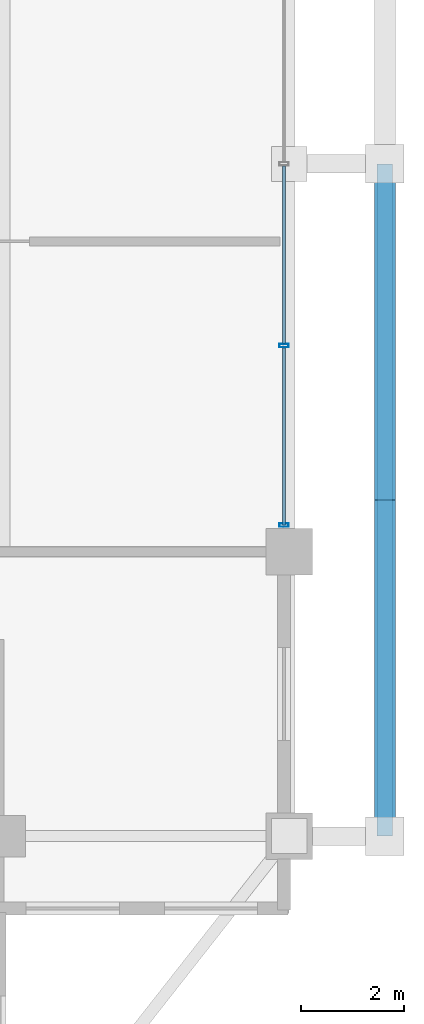
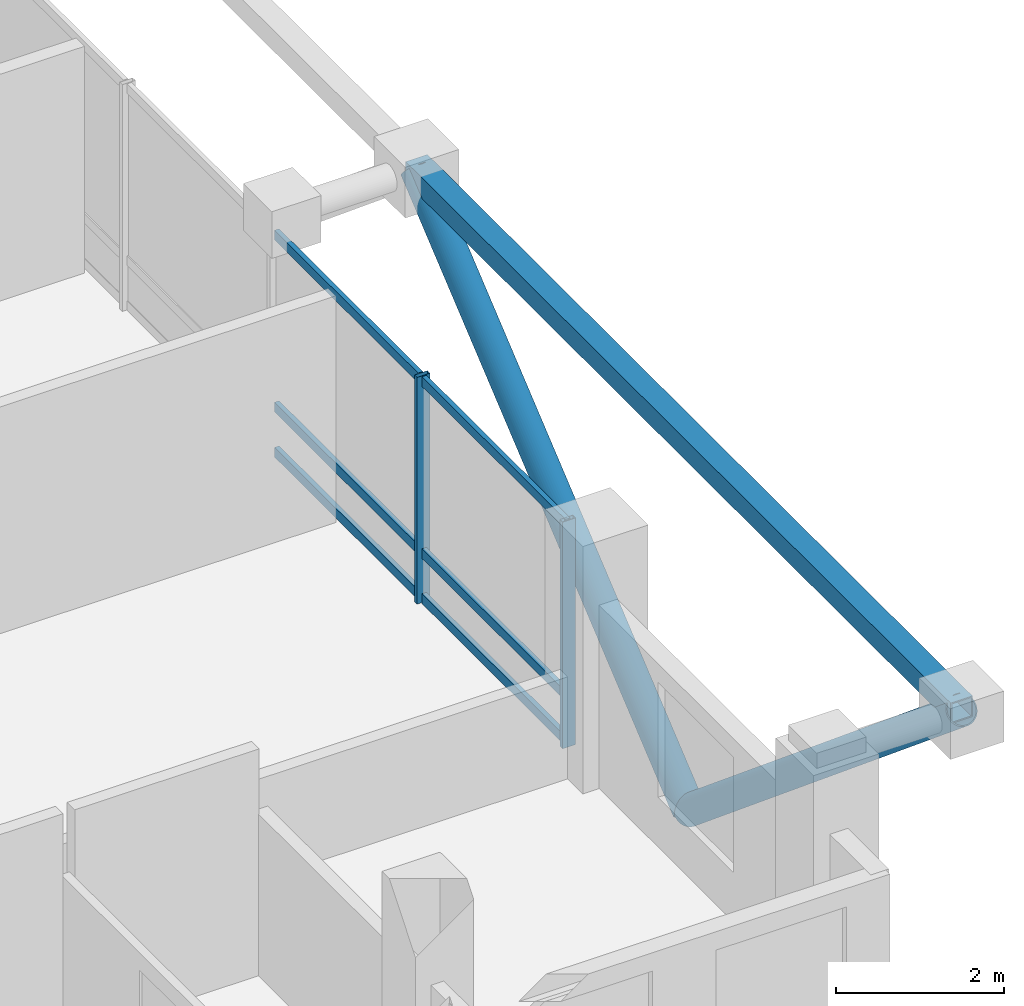
# One storey, part 12 of 25: 11 members, 1 element without a shape of its own.
"""IFC4 building model written with IfcOpenShell, lengths in metres."""

from ifc_helpers import new_model, si_unit, direction, frame, origin, origin_2d, place, context, subcontext, project, spatial, hollow_rectangle, hollow_circle, extrude, material, layer, layer_set, material_profile, profile_set, type_object, element, aggregate, save


model = new_model("IFC4")

# Units and contexts
model_context = context("Model", 3, precision=1e-05, world=origin(), true_north=direction((0.0, 1.0)))
body_context = subcontext(model_context, "Body", "Model", "MODEL_VIEW")
ifc_project = project(units=[si_unit("LENGTHUNIT", "METRE"), si_unit("AREAUNIT", "SQUARE_METRE"), si_unit("VOLUMEUNIT", "CUBIC_METRE"), si_unit("PLANEANGLEUNIT", "RADIAN"), si_unit("MASSUNIT", "GRAM", prefix="KILO")], contexts=[model_context])

# Site, building, storey
site_placement = place(None, origin())
site = spatial("IfcSite", under=ifc_project, at=site_placement, CompositionType="ELEMENT")
building_placement = place(site_placement, origin())
building = spatial("IfcBuilding", under=site, at=building_placement, Name="Barlavira Tower and Art Museum", CompositionType="ELEMENT")
storey_placement = place(building_placement, frame((0.0, 0.0, 301.5)))
storey = spatial("IfcBuildingStorey", under=building, at=storey_placement, Name="L79", CompositionType="ELEMENT", Elevation=301.5)

# Curtain wall, members
ifc_material_1 = material(Name="Low-iron coastal laminated glass", Category="glass")
ifc_layer = layer(ifc_material_1, 0.2099609375, Name="Low-iron coastal laminated glass")
ifc_layer_set = layer_set([ifc_layer], Name="Low-iron coastal laminated glass")
curtain_wall_type = type_object("IfcCurtainWallType", Name="Pale-Metal Unitised Curtain Wall Zone 4", PredefinedType="NOTDEFINED", material=ifc_layer_set)
curtain_wall_placement = place(storey_placement, origin())
curtain_wall = element("IfcCurtainWall", 1, at=curtain_wall_placement, inside=storey, type_object=curtain_wall_type, Name="L79 Curtain Wall CW4-L79-E-B3", PredefinedType="NOTDEFINED")
ifc_material_2 = material(Name="Pale anodised aluminium", Category="aluminium")
ifc_material_profile_1 = material_profile(ifc_material_2, hollow_rectangle(XDim=0.06494140625, YDim=0.179931640625, WallThickness=0.00390625, at=origin_2d()), Name="ALU-MULL 65x180x4")
ifc_profile_set_1 = profile_set([ifc_material_profile_1], Name="Pale anodised aluminium")
member_type_1 = type_object("IfcMemberType", Name="Curtain Wall Pale-Metal Mullion 65x180", PredefinedType="MULLION", material=ifc_profile_set_1)
member_1_placement = place(storey_placement, frame((16.89990234375, -6.985107421875, 0.0), z_axis=(0.0, 0.0, 1.0), x_axis=(0.0, 1.0, 0.0)))
member_1 = element("IfcMember", 2, at=member_1_placement, type_object=member_type_1, Name="CW4-L79-E-B3 Mullion 0", PredefinedType="MULLION", context=body_context, shape_type="SweptSolid", body=[
    extrude(hollow_rectangle(XDim=0.06494140625, YDim=0.179931640625, WallThickness=0.00390625, at=origin_2d()), origin(), (0.0, 0.0, 1.0), 3.300048828125),
])
member_2_placement = place(storey_placement, frame((16.89990234375, -3.514892578125, 0.0), z_axis=(0.0, 0.0, 1.0), x_axis=(0.0, 1.0, 0.0)))
member_2 = element("IfcMember", 3, at=member_2_placement, type_object=member_type_1, Name="CW4-L79-E-B3 Mullion 1", PredefinedType="MULLION", context=body_context, shape_type="SweptSolid", body=[
    extrude(hollow_rectangle(XDim=0.06494140625, YDim=0.179931640625, WallThickness=0.00390625, at=origin_2d()), origin(), (0.0, 0.0, 1.0), 3.300048828125),
])
ifc_material_profile_2 = material_profile(ifc_material_2, hollow_rectangle(XDim=0.06494140625, YDim=0.139892578125, WallThickness=0.00390625, at=origin_2d()), Name="ALU-TRAN 65x140x4")
ifc_profile_set_2 = profile_set([ifc_material_profile_2], Name="Pale anodised aluminium")
member_type_2 = type_object("IfcMemberType", Name="Curtain Wall Pale-Metal Transom 65x140", PredefinedType="USERDEFINED", material=ifc_profile_set_2)
member_3_placement = place(storey_placement, frame((16.89990234375, -6.985107421875, 0.070068359375), z_axis=(0.0, 1.0, 0.0), x_axis=(-1.0, 0.0, 0.0)))
member_3 = element("IfcMember", 4, at=member_3_placement, type_object=member_type_2, Name="CW4-L79-E-B3 Transom 0.1", ObjectType="TRANSOM", PredefinedType="USERDEFINED", context=body_context, shape_type="SweptSolid", body=[
    extrude(hollow_rectangle(XDim=0.06494140625, YDim=0.139892578125, WallThickness=0.00390625, at=origin_2d()), origin(), (0.0, 0.0, 1.0), 3.425048828125),
])
member_4_placement = place(storey_placement, frame((16.89990234375, -6.985107421875, 0.72607421875), z_axis=(0.0, 1.0, 0.0), x_axis=(-1.0, 0.0, 0.0)))
member_4 = element("IfcMember", 5, at=member_4_placement, type_object=member_type_2, Name="CW4-L79-E-B3 Transom 0.2", ObjectType="TRANSOM", PredefinedType="USERDEFINED", context=body_context, shape_type="SweptSolid", body=[
    extrude(hollow_rectangle(XDim=0.06494140625, YDim=0.139892578125, WallThickness=0.00390625, at=origin_2d()), origin(), (0.0, 0.0, 1.0), 3.425048828125),
])
member_5_placement = place(storey_placement, frame((16.89990234375, -6.985107421875, 3.22998046875), z_axis=(0.0, 1.0, 0.0), x_axis=(-1.0, 0.0, 0.0)))
member_5 = element("IfcMember", 6, at=member_5_placement, type_object=member_type_2, Name="CW4-L79-E-B3 Transom 0.3", ObjectType="TRANSOM", PredefinedType="USERDEFINED", context=body_context, shape_type="SweptSolid", body=[
    extrude(hollow_rectangle(XDim=0.06494140625, YDim=0.139892578125, WallThickness=0.00390625, at=origin_2d()), origin(), (0.0, 0.0, 1.0), 3.425048828125),
])
member_6_placement = place(storey_placement, frame((16.89990234375, -3.469970703125, 0.070068359375), z_axis=(0.0, 1.0, 0.0), x_axis=(-1.0, 0.0, 0.0)))
member_6 = element("IfcMember", 7, at=member_6_placement, type_object=member_type_2, Name="CW4-L79-E-B3 Transom 1.1", ObjectType="TRANSOM", PredefinedType="USERDEFINED", context=body_context, shape_type="SweptSolid", body=[
    extrude(hollow_rectangle(XDim=0.06494140625, YDim=0.139892578125, WallThickness=0.00390625, at=origin_2d()), origin(), (0.0, 0.0, 1.0), 3.425048828125),
])
member_7_placement = place(storey_placement, frame((16.89990234375, -3.469970703125, 0.72607421875), z_axis=(0.0, 1.0, 0.0), x_axis=(-1.0, 0.0, 0.0)))
member_7 = element("IfcMember", 8, at=member_7_placement, type_object=member_type_2, Name="CW4-L79-E-B3 Transom 1.2", ObjectType="TRANSOM", PredefinedType="USERDEFINED", context=body_context, shape_type="SweptSolid", body=[
    extrude(hollow_rectangle(XDim=0.06494140625, YDim=0.139892578125, WallThickness=0.00390625, at=origin_2d()), origin(), (0.0, 0.0, 1.0), 3.425048828125),
])
member_8_placement = place(storey_placement, frame((16.89990234375, -3.469970703125, 3.22998046875), z_axis=(0.0, 1.0, 0.0), x_axis=(-1.0, 0.0, 0.0)))
member_8 = element("IfcMember", 9, at=member_8_placement, type_object=member_type_2, Name="CW4-L79-E-B3 Transom 1.3", ObjectType="TRANSOM", PredefinedType="USERDEFINED", context=body_context, shape_type="SweptSolid", body=[
    extrude(hollow_rectangle(XDim=0.06494140625, YDim=0.139892578125, WallThickness=0.00390625, at=origin_2d()), origin(), (0.0, 0.0, 1.0), 3.425048828125),
])
aggregate(curtain_wall, [member_1, member_2, member_3, member_4, member_5, member_6, member_7, member_8])

# Members
ifc_material_3 = material(Name="Steel S355", Category="steel")
ifc_material_profile_3 = material_profile(ifc_material_3, hollow_circle(Radius=0.203125, WallThickness=0.01611328125, at=origin_2d()), Name="CHS 406.4x16.0")
ifc_profile_set_3 = profile_set([ifc_material_profile_3], Name="Steel S355")
member_type_3 = type_object("IfcMemberType", Name="Pale-Metal Exoskeleton Diagrid Tube CHS 406x16 Steel S355", PredefinedType="BRACE", material=ifc_profile_set_3)
for number, where, z_axis, x_axis, name in (
    (10, (18.85009765625, -6.5, -1.919921875), (0.0, -0.769196053329, 0.639012857104), (1.0, 0.0, 0.0), "L79 Exoskeleton Diagrid Tube E"),
    (11, (18.85009765625, -6.5, -1.919921875), (0.0, 0.769196053329, 0.639012857104), (-1.0, 0.0, 0.0), "L79 Exoskeleton Diagrid Tube E"),
):
    element("IfcMember", number, at=place(storey_placement, frame(where, z_axis=z_axis, x_axis=x_axis)), inside=storey, type_object=member_type_3, Name=name, PredefinedType="BRACE", context=body_context, shape_type="SweptSolid", body=[
        extrude(hollow_circle(Radius=0.203125, WallThickness=0.01611328125, at=origin_2d()), origin(), (0.0, 0.0, 1.0), 8.450439453125),
    ])
ifc_material_profile_4 = material_profile(ifc_material_3, hollow_rectangle(XDim=0.300048828125, YDim=0.300048828125, WallThickness=0.01611328125, at=origin_2d()), Name="SHS 300x300x16.0")
ifc_profile_set_4 = profile_set([ifc_material_profile_4], Name="Steel S355")
member_type_4 = type_object("IfcMemberType", Name="Pale-Metal Upper Ring Strut SHS 300x300x16 Steel S355", PredefinedType="STRUT", material=ifc_profile_set_4)
member_9_placement = place(storey_placement, frame((18.85009765625, -13.0, 3.47998046875), z_axis=(0.0, 1.0, 0.0), x_axis=(-1.0, 0.0, 0.0)))
element("IfcMember", 12, at=member_9_placement, inside=storey, type_object=member_type_4, Name="L79 Exoskeleton Top Ring Strut E", PredefinedType="STRUT", context=body_context, shape_type="SweptSolid", body=[
    extrude(hollow_rectangle(XDim=0.300048828125, YDim=0.300048828125, WallThickness=0.01611328125, at=origin_2d()), origin(), (0.0, 0.0, 1.0), 13.0),
])

save(model, "model.ifc")
